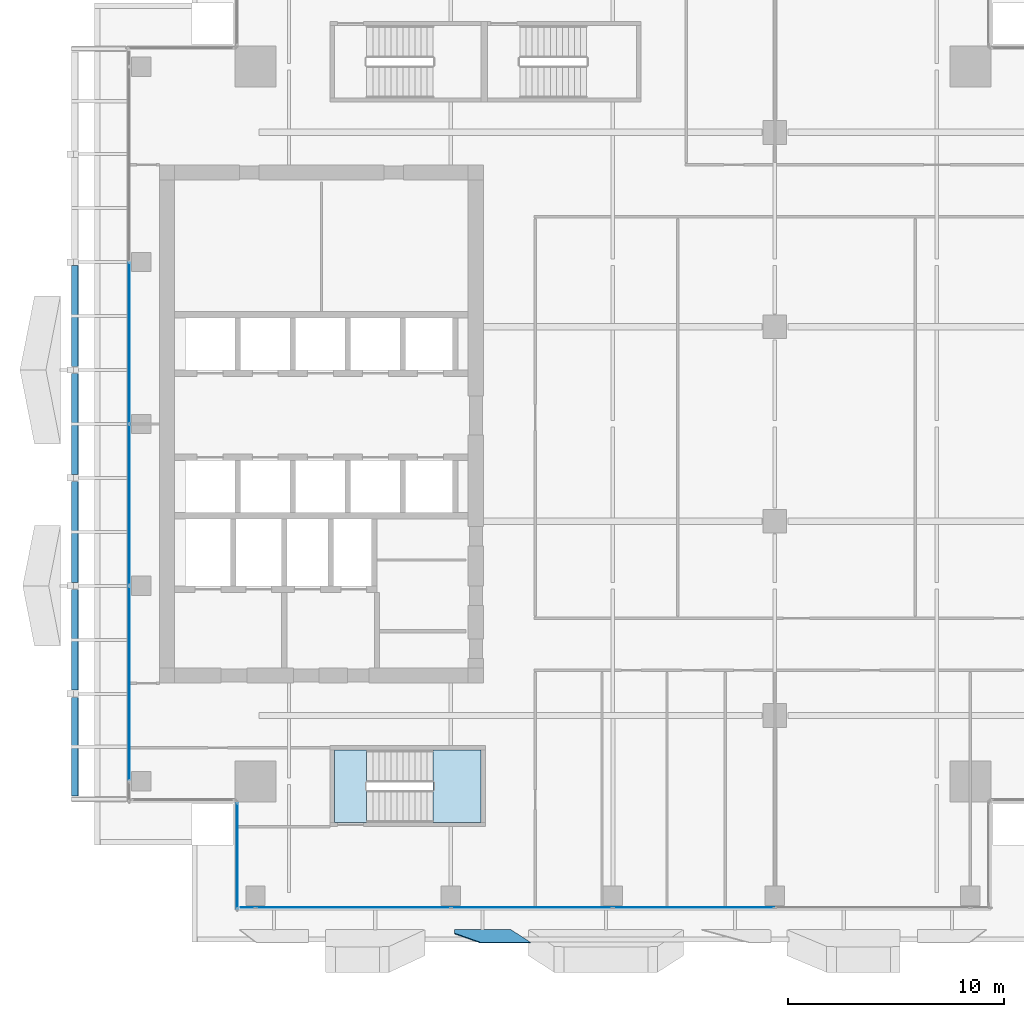
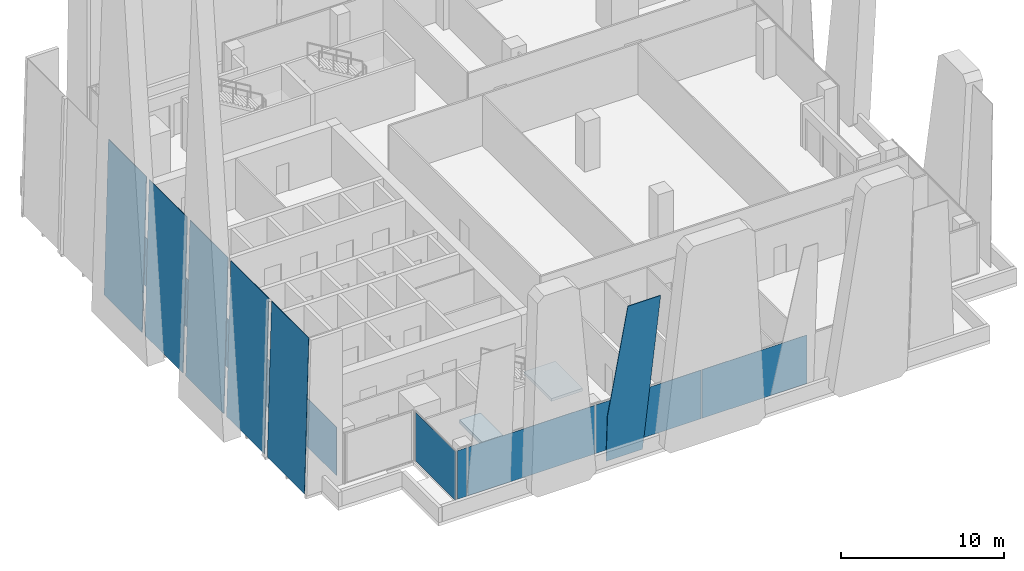
# One storey, part 21 of 33: 14 plates, 2 slabs, 4 elements without a shape of their own.
"""IFC4 building model written with IfcOpenShell, lengths in metres."""

from ifc_helpers import new_model, si_unit, direction, frame, origin, origin_2d, place, context, subcontext, project, spatial, polyline, rectangle, outline, extrude, source, transform, mapped, material, layer, layer_set, type_object, element, aggregate, save


model = new_model("IFC4")

# Units and contexts
model_context = context("Model", 3, precision=1e-05, world=origin(), true_north=direction((0.0, 1.0)))
body_context = subcontext(model_context, "Body", "Model", "MODEL_VIEW")
ifc_project = project(units=[si_unit("LENGTHUNIT", "METRE"), si_unit("AREAUNIT", "SQUARE_METRE"), si_unit("VOLUMEUNIT", "CUBIC_METRE"), si_unit("PLANEANGLEUNIT", "RADIAN"), si_unit("MASSUNIT", "GRAM", prefix="KILO")], contexts=[model_context])

# Site, building, storey
site_placement = place(None, origin())
site = spatial("IfcSite", under=ifc_project, at=site_placement, CompositionType="ELEMENT")
building_placement = place(site_placement, origin())
building = spatial("IfcBuilding", under=site, at=building_placement, Name="Khomas Fold Tower", CompositionType="ELEMENT")
storey_placement = place(building_placement, frame((0.0, 0.0, 222.199951171875)))
storey = spatial("IfcBuildingStorey", under=building, at=storey_placement, Name="L49", CompositionType="ELEMENT", Elevation=222.199951171875)

# Plates
ifc_material_1 = material(Name="Clear laminated glass", Category="glass")
ifc_layer_1 = layer(ifc_material_1, 0.0400390625)
ifc_layer_set_1 = layer_set([ifc_layer_1], Name="Clear laminated glass")
plate_type_1 = type_object("IfcPlateType", Name="SK-Clear laminated glass leaf", PredefinedType="SHEET", material=ifc_layer_set_1)
plate_1_placement = place(storey_placement, frame((22.249267578125, 3.60009765625, 0.0), z_axis=(-2.6920863e-05, 0.99862868185, 0.052352221177), x_axis=(-0.999999999638, -2.6883946e-05, -1.409367e-06)))
element("IfcPlate", 1, at=plate_1_placement, inside=storey, type_object=plate_type_1, Name="OUTER SKIN glass L49 SG100-2", PredefinedType="SHEET", context=body_context, shape_type="SweptSolid", body=[
    extrude(outline(polyline([(0.0, 0.0), (2.579345702190332, 0.0), (2.5793457057409217, 3.4903890404326225), (1.3813476548812178, 11.565907674638344), (-0.9384765630281563, 11.565907674638344), (0.0, 0.0)])), origin(), (0.0, 0.0, -1.0), 0.0400390625),
])
plate_2_placement = place(storey_placement, frame((1.920654296875, 9.77001953125, 0.0009765625), z_axis=(-0.999657230839, 0.0, 0.026180543005), x_axis=(0.0, 1.0, 0.0)))
element("IfcPlate", 2, at=plate_2_placement, inside=storey, type_object=plate_type_1, Name="OUTER SKIN glass L49 W1", PredefinedType="SHEET", context=body_context, shape_type="SweptSolid", body=[
    extrude(outline(polyline([(0.0, 0.0), (4.56005859375, 0.0), (4.56005859375, -11.554009186164079), (0.0, -11.554009186164079), (0.0, 0.0)])), origin(), (0.0, 0.0, -1.0), 0.0400390625),
])
for number, where, z_axis, x_axis, name in (
    (3, (1.920654296875, 14.669921875, 0.0009765625), (-0.999657230839, 0.0, 0.026180543005), (0.0, 1.0, 0.0), "OUTER SKIN glass L49 W3"),
    (4, (1.920654296875, 19.669921875, 0.0009765625), (-0.999657230839, 0.0, 0.026180543005), (0.0, 1.0, 0.0), "OUTER SKIN glass L49 W5"),
    (5, (1.920654296875, 24.669921875, 0.0009765625), (-0.999657230839, 0.0, 0.026180543005), (0.0, 1.0, 0.0), "OUTER SKIN glass L49 W7"),
    (6, (1.920654296875, 29.669921875, 0.0009765625), (-0.999657230839, 0.0, 0.026180543005), (0.0, 1.0, 0.0), "OUTER SKIN glass L49 W9"),
):
    element("IfcPlate", number, at=place(storey_placement, frame(where, z_axis=z_axis, x_axis=x_axis)), inside=storey, type_object=plate_type_1, Name=name, PredefinedType="SHEET", context=body_context, shape_type="SweptSolid", body=[
        extrude(outline(polyline([(0.0, 0.0), (4.66015625, 0.0), (4.66015625, -11.554009186164079), (0.0, -11.554009186164079), (0.0, 0.0)])), origin(), (0.0, 0.0, -1.0), 0.0400390625),
    ])

# Curtain wall, plates
ifc_material_2 = material(Name="Aluminium framed double glazing", Category="aluminium")
curtain_wall_type = type_object("IfcCurtainWallType", Name="SK-Unitised clear-glass wall, office floors CW2", PredefinedType="NOTDEFINED", material=ifc_material_2)
curtain_wall_1_placement = place(storey_placement, origin())
curtain_wall_1 = element("IfcCurtainWall", 7, at=curtain_wall_1_placement, inside=storey, type_object=curtain_wall_type, Name="CW2 run L49 00-0", PredefinedType="NOTDEFINED")
ifc_material_3 = material(Name="Clear double glazed unit")
ifc_layer_2 = layer(ifc_material_3, 0.030029296875)
ifc_layer_set_2 = layer_set([ifc_layer_2], Name="Clear double glazed unit")
plate_type_2 = type_object("IfcPlateType", Name="SK-Unitised clear-glass wall, office floors glass panel CW2-P", PredefinedType="CURTAIN_PANEL", material=ifc_layer_set_2)
shared_shape_1 = source(origin(), body_context, "Body", "SweptSolid", [
    extrude(rectangle(XDim=0.659912109375, YDim=0.030029296875, at=origin_2d()), origin(), (0.0, 0.0, 1.0), 3.639892578125),
])
plate_3_placement = place(storey_placement, frame((10.090087890625, 4.60009765625, 0.0), z_axis=(0.0, 0.0, 1.0), x_axis=(1.0, 0.0, 0.0)))
plate_3 = element("IfcPlate", 8, at=plate_3_placement, type_object=plate_type_2, Name="CW2 glass panel 1", PredefinedType="CURTAIN_PANEL", context=body_context, shape_type="MappedRepresentation", body=[
    mapped(shared_shape_1, transform((0.0, 0.0, 0.0))),
])
shared_shape_2 = source(origin(), body_context, "Body", "SweptSolid", [
    extrude(rectangle(XDim=7.43994140625, YDim=0.030029296875, at=origin_2d()), origin(), (0.0, 0.0, 1.0), 3.639892578125),
])
plate_4_placement = place(storey_placement, frame((23.25, 4.60009765625, 0.0), z_axis=(0.0, 0.0, 1.0), x_axis=(1.0, 0.0, 0.0)))
plate_4 = element("IfcPlate", 9, at=plate_4_placement, type_object=plate_type_2, Name="CW2 glass panel 3", PredefinedType="CURTAIN_PANEL", context=body_context, shape_type="MappedRepresentation", body=[
    mapped(shared_shape_2, transform((0.0, 0.0, 0.0))),
])
plate_5_placement = place(storey_placement, frame((30.75, 4.60009765625, 0.0), z_axis=(0.0, 0.0, 1.0), x_axis=(1.0, 0.0, 0.0)))
plate_5 = element("IfcPlate", 10, at=plate_5_placement, type_object=plate_type_2, Name="CW2 glass panel 4", PredefinedType="CURTAIN_PANEL", context=body_context, shape_type="MappedRepresentation", body=[
    mapped(shared_shape_2, transform((0.0, 0.0, 0.0))),
])

curtain_wall_2_placement = place(storey_placement, origin())
curtain_wall_2 = element("IfcCurtainWall", 11, at=curtain_wall_2_placement, inside=storey, type_object=curtain_wall_type, Name="CW2 run L49 09-0", PredefinedType="NOTDEFINED")
plate_6_placement = place(storey_placement, frame((4.60009765625, 30.75, 0.0), z_axis=(0.0, 0.0, 1.0), x_axis=(0.0, -1.0, 0.0)))
plate_6 = element("IfcPlate", 12, at=plate_6_placement, type_object=plate_type_2, Name="CW2 glass panel 3", PredefinedType="CURTAIN_PANEL", context=body_context, shape_type="MappedRepresentation", body=[
    mapped(shared_shape_2, transform((0.0, 0.0, 0.0))),
])
plate_7_placement = place(storey_placement, frame((4.60009765625, 23.25, 0.0), z_axis=(0.0, 0.0, 1.0), x_axis=(0.0, -1.0, 0.0)))
plate_7 = element("IfcPlate", 13, at=plate_7_placement, type_object=plate_type_2, Name="CW2 glass panel 4", PredefinedType="CURTAIN_PANEL", context=body_context, shape_type="MappedRepresentation", body=[
    mapped(shared_shape_2, transform((0.0, 0.0, 0.0))),
])

# Plate
shared_shape_3 = source(origin(), body_context, "Body", "SweptSolid", [
    extrude(rectangle(XDim=8.989990234375, YDim=0.030029296875, at=origin_2d()), origin(), (0.0, 0.0, 1.0), 3.639892578125),
])
plate_8_placement = place(storey_placement, frame((14.97509765625, 4.60009765625, 0.0), z_axis=(0.0, 0.0, 1.0), x_axis=(1.0, 0.0, 0.0)))
plate_8 = element("IfcPlate", 14, at=plate_8_placement, type_object=plate_type_2, Name="CW2 glass panel 2", PredefinedType="CURTAIN_PANEL", context=body_context, shape_type="MappedRepresentation", body=[
    mapped(shared_shape_3, transform((0.0, 0.0, 0.0))),
])

aggregate(curtain_wall_1, [plate_3, plate_8, plate_4, plate_5])

plate_9_placement = place(storey_placement, frame((4.60009765625, 14.97509765625, 0.0), z_axis=(0.0, 0.0, 1.0), x_axis=(0.0, -1.0, 0.0)))
plate_9 = element("IfcPlate", 15, at=plate_9_placement, type_object=plate_type_2, Name="CW2 glass panel 5", PredefinedType="CURTAIN_PANEL", context=body_context, shape_type="MappedRepresentation", body=[
    mapped(shared_shape_3, transform((0.0, 0.0, 0.0))),
])

aggregate(curtain_wall_2, [plate_6, plate_7, plate_9])

# Curtain wall, plate
curtain_wall_3_placement = place(storey_placement, origin())
curtain_wall_3 = element("IfcCurtainWall", 16, at=curtain_wall_3_placement, inside=storey, type_object=curtain_wall_type, Name="CW2 corner return L49 11", PredefinedType="NOTDEFINED")
shared_shape_4 = source(origin(), body_context, "Body", "SweptSolid", [
    extrude(rectangle(XDim=4.8798828125, YDim=0.030029296875, at=origin_2d()), origin(), (0.0, 0.0, 1.0), 3.639892578125),
])
plate_10_placement = place(storey_placement, frame((9.60009765625, 7.0, 0.0), z_axis=(0.0, 0.0, 1.0), x_axis=(0.0, -1.0, 0.0)))
plate_10 = element("IfcPlate", 17, at=plate_10_placement, type_object=plate_type_2, Name="CW2 glass panel 1", PredefinedType="CURTAIN_PANEL", context=body_context, shape_type="MappedRepresentation", body=[
    mapped(shared_shape_4, transform((0.0, 0.0, 0.0))),
])
aggregate(curtain_wall_3, [plate_10])

# Stair, slab
ifc_material_4 = material(Name="Concrete C40/50", Category="concrete")
stair_type = type_object("IfcStairType", Name="Stair ST2", PredefinedType="HALF_TURN_STAIR", material=ifc_material_4)
stair_placement = place(storey_placement, origin())
stair = element("IfcStair", 18, at=stair_placement, inside=storey, type_object=stair_type, Name="L49 ST2", PredefinedType="HALF_TURN_STAIR")
ifc_material_5 = material(Name="Concrete C40/50", Category="concrete")
ifc_layer_3 = layer(ifc_material_5, 0.199951171875)
ifc_layer_set_3 = layer_set([ifc_layer_3], Name="Concrete C40/50")
slab_type_1 = type_object("IfcSlabType", Name="Stair landing 200", PredefinedType="LANDING", material=ifc_layer_set_3)
shared_shape_5 = source(origin(), body_context, "Body", "SweptSolid", [
    extrude(outline(polyline([(18.679931640625, 8.550048828125), (20.89990234375, 8.550048828125), (20.89990234375, 11.89990234375), (18.679931640625, 11.89990234375), (18.679931640625, 8.550048828125)])), origin(), (0.0, 0.0, 1.0), 0.199951171875),
])
slab_1_placement = place(storey_placement, frame((0.0, 0.0, 1.800048828125)))
slab_1 = element("IfcSlab", 19, at=slab_1_placement, type_object=slab_type_1, Name="ST2 landing 1", PredefinedType="LANDING", context=body_context, shape_type="MappedRepresentation", body=[
    mapped(shared_shape_5, transform((0.0, 0.0, 0.0))),
])
aggregate(stair, [slab_1])

# Slab
ifc_material_6 = material(Name="Concrete C40/50", Category="concrete")
ifc_layer_4 = layer(ifc_material_6, 0.25)
ifc_layer_set_4 = layer_set([ifc_layer_4], Name="Concrete C40/50")
slab_type_2 = type_object("IfcSlabType", Name="Stair floor landing 250", PredefinedType="LANDING", material=ifc_layer_set_4)
shared_shape_6 = source(origin(), body_context, "Body", "SweptSolid", [
    extrude(outline(polyline([(14.10009765625, 8.550048828125), (14.10009765625, 11.89990234375), (15.60009765625, 11.89990234375), (15.60009765625, 8.550048828125), (14.10009765625, 8.550048828125)])), origin(), (0.0, 0.0, 1.0), 0.25),
])
slab_2_placement = place(storey_placement, frame((0.0, 0.0, -0.25)))
element("IfcSlab", 20, at=slab_2_placement, inside=storey, type_object=slab_type_2, Name="ST2 floor landing", PredefinedType="LANDING", context=body_context, shape_type="MappedRepresentation", body=[
    mapped(shared_shape_6, transform((0.0, 0.0, 0.0))),
])

save(model, "model.ifc")
